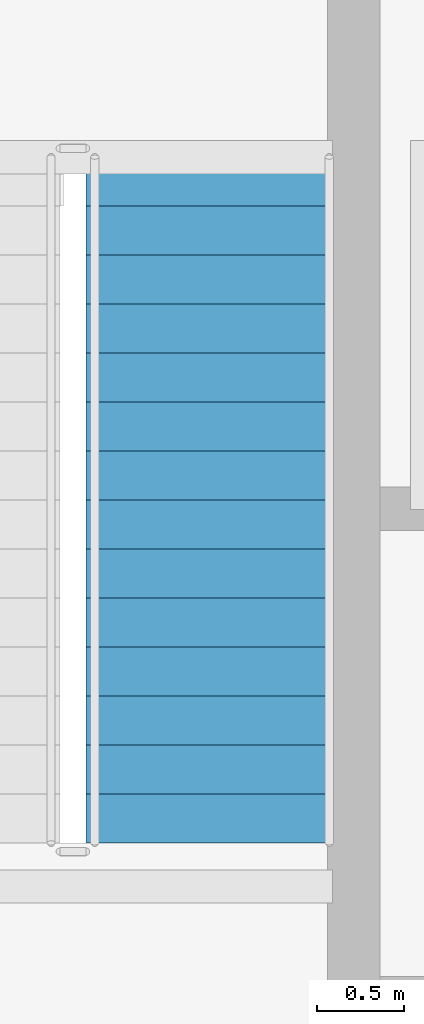
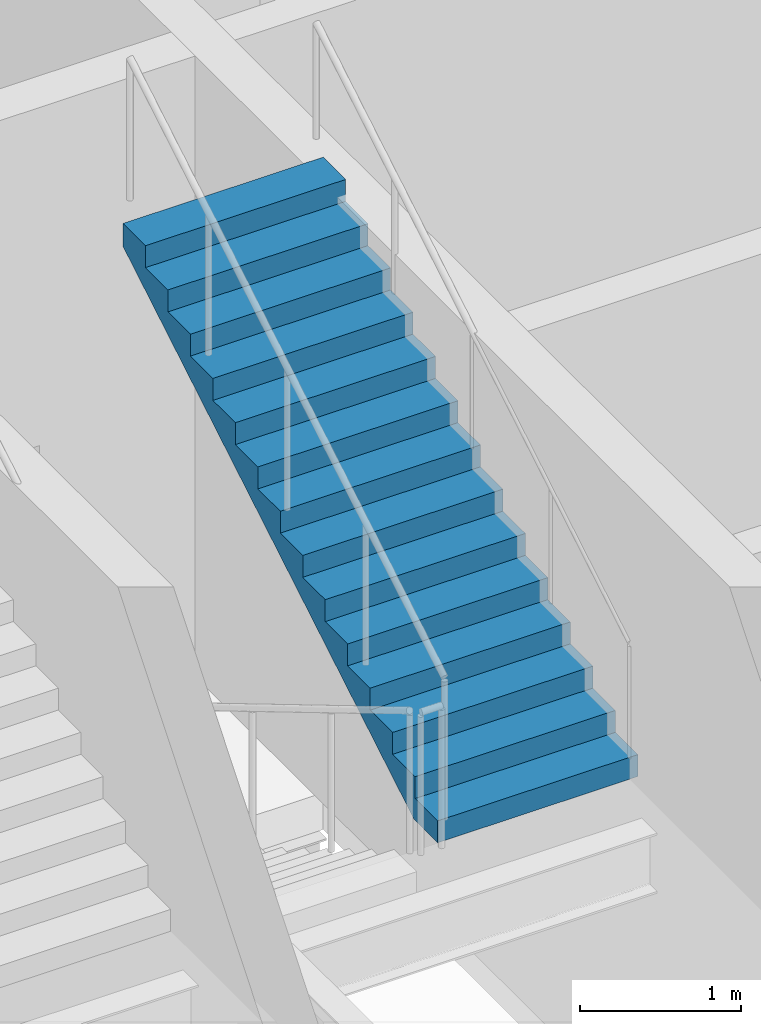
# One storey, part 22 of 28: 1 stair flight, 1 element without a shape of its own.
"""IFC4 building model written with IfcOpenShell, lengths in metres."""

from ifc_helpers import new_model, si_unit, direction, frame, origin, place, context, subcontext, project, spatial, polyline, outline, extrude, material, layer, layer_set, type_object, element, aggregate, save


model = new_model("IFC4")

# Units and contexts
model_context = context("Model", 3, precision=1e-05, world=origin(), true_north=direction((0.0, 1.0)))
body_context = subcontext(model_context, "Body", "Model", "MODEL_VIEW")
ifc_project = project(units=[si_unit("LENGTHUNIT", "METRE"), si_unit("AREAUNIT", "SQUARE_METRE"), si_unit("VOLUMEUNIT", "CUBIC_METRE"), si_unit("PLANEANGLEUNIT", "RADIAN"), si_unit("MASSUNIT", "GRAM", prefix="KILO")], contexts=[model_context])

# Site, building, storey
site_placement = place(None, origin())
site = spatial("IfcSite", under=ifc_project, at=site_placement, CompositionType="ELEMENT")
building_placement = place(site_placement, origin())
building = spatial("IfcBuilding", under=site, at=building_placement, Name="Solvaryn Broadcast Tower", CompositionType="ELEMENT")
storey_placement = place(building_placement, frame((0.0, 0.0, 201.199951171875)))
storey = spatial("IfcBuildingStorey", under=building, at=storey_placement, Name="L50", CompositionType="ELEMENT", Elevation=201.199951171875)

# Stair, stair flight
ifc_material_1 = material(Name="Concrete f'c 60 MPa", Category="concrete")
stair_type = type_object("IfcStairType", Name="ST-CORE", PredefinedType="HALF_TURN_STAIR", material=ifc_material_1)
stair_placement = place(storey_placement, origin())
stair = element("IfcStair", 1, at=stair_placement, inside=storey, type_object=stair_type, Name="L50 ST2", PredefinedType="HALF_TURN_STAIR")
ifc_material_2 = material(Name="Concrete f'c 60 MPa", Category="concrete")
ifc_layer = layer(ifc_material_2, 0.159912109375)
ifc_layer_set = layer_set([ifc_layer], Name="SF-CORE")
stair_flight_type = type_object("IfcStairFlightType", Name="SF-CORE", PredefinedType="STRAIGHT", material=ifc_layer_set)
stair_flight_placement = place(storey_placement, frame((17.110107421875, 32.0400390625, 2.5), z_axis=(0.0, 0.0, 1.0), x_axis=(0.0, 1.0, 0.0)))
stair_flight = element("IfcStairFlight", 2, at=stair_flight_placement, type_object=stair_flight_type, Name="ST2 flight 2", NumberOfRisers=15, NumberOfTreads=14, PredefinedType="STRAIGHT", RiserHeight=0.166666667, TreadLength=0.28, context=body_context, shape_type="SweptSolid", body=[
    extrude(outline(polyline([(0.0, 0.0), (0.0, 0.166748046875), (0.280029296875, 0.166748046875), (0.280029296875, 0.333251953125), (0.56005859375, 0.333251953125), (0.56005859375, 0.5), (0.840087890625, 0.5), (0.840087890625, 0.666748046875), (1.1201171875, 0.666748046875), (1.1201171875, 0.833251953125), (1.39990234375, 0.833251953125), (1.39990234375, 1.0), (1.679931640625, 1.0), (1.679931640625, 1.166748046875), (1.9599609375, 1.166748046875), (1.9599609375, 1.333251953125), (2.239990234375, 1.333251953125), (2.239990234375, 1.5), (2.52001953125, 1.5), (2.52001953125, 1.666748046875), (2.800048828125, 1.666748046875), (2.800048828125, 1.833251953125), (3.080078125, 1.833251953125), (3.080078125, 2.0), (3.360107421875, 2.0), (3.360107421875, 2.166748046875), (3.639892578125, 2.166748046875), (3.639892578125, 2.333251953125), (3.919921875, 2.333251953125), (3.919921875, 2.5), (3.919921875, 2.158935546875), (0.29296875, 0.0), (0.0, 0.0)])), frame((0.0, 0.719970703125, 0.0), z_axis=(0.0, -1.0, 0.0), x_axis=(1.0, 0.0, 0.0)), (0.0, 0.0, 1.0), 1.43994140625),
])
aggregate(stair, [stair_flight])

save(model, "model.ifc")
